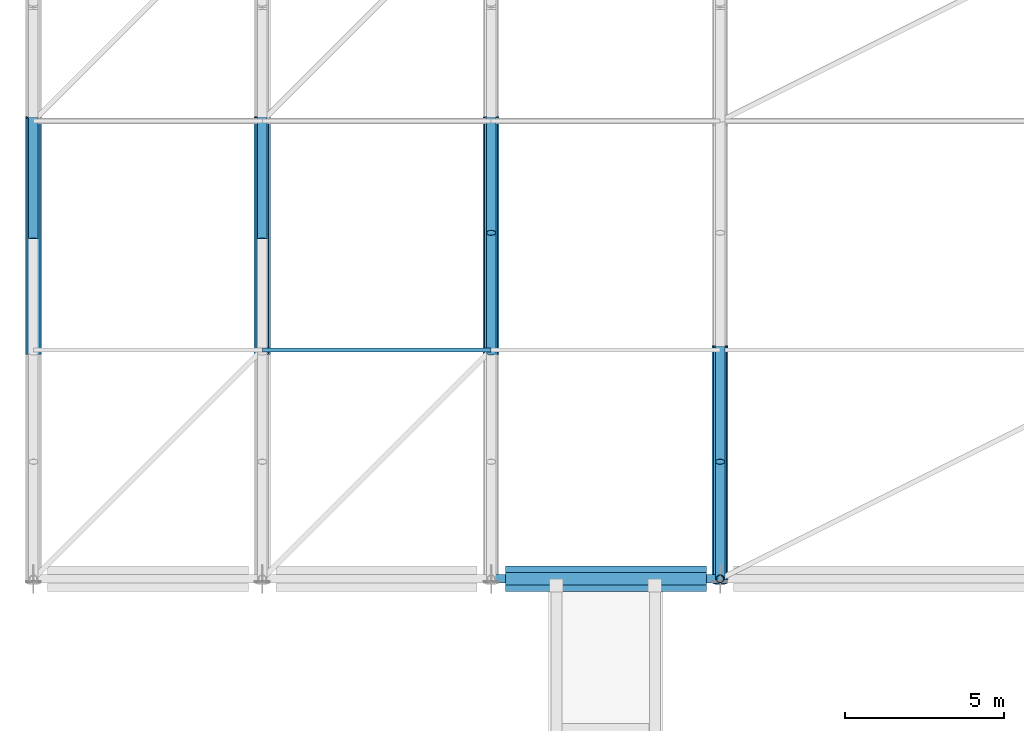
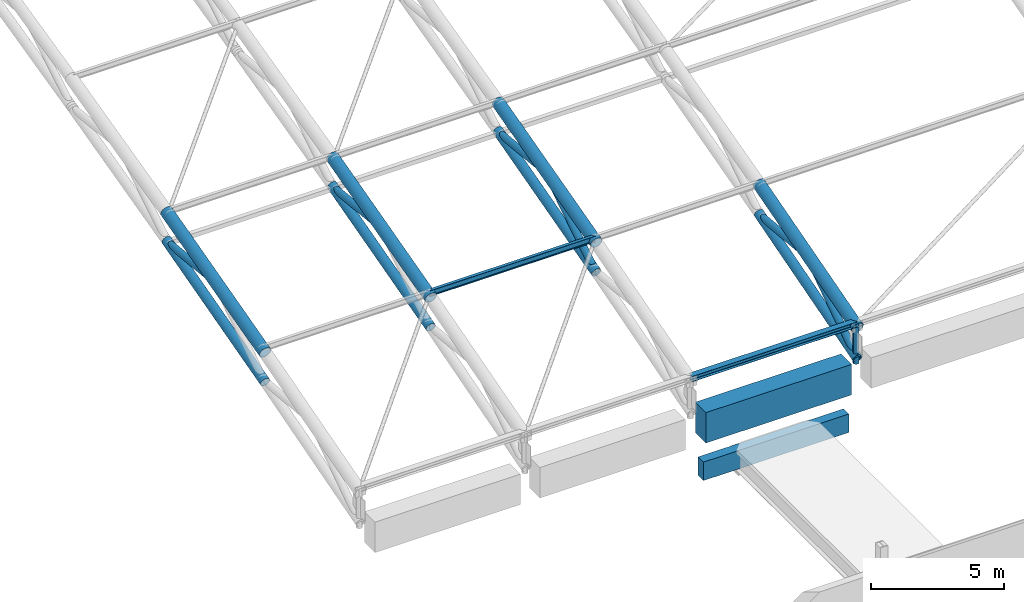
# One storey, part 25 of 193: 17 members, 2 beams.
"""IFC4 building model written with IfcOpenShell, lengths in metres."""

from ifc_helpers import new_model, si_unit, direction, frame, origin, origin_2d, place, context, subcontext, project, spatial, rectangle, hollow_circle, i_section, extrude, material, material_profile, profile_set, type_object, element, save


model = new_model("IFC4")

# Units and contexts
model_context = context("Model", 3, precision=1e-05, world=origin(), true_north=direction((0.0, 1.0)))
body_context = subcontext(model_context, "Body", "Model", "MODEL_VIEW")
ifc_project = project(units=[si_unit("LENGTHUNIT", "METRE"), si_unit("AREAUNIT", "SQUARE_METRE"), si_unit("VOLUMEUNIT", "CUBIC_METRE"), si_unit("PLANEANGLEUNIT", "RADIAN"), si_unit("MASSUNIT", "GRAM", prefix="KILO")], contexts=[model_context])

# Site, building, storey
site_placement = place(None, origin())
site = spatial("IfcSite", under=ifc_project, at=site_placement, CompositionType="ELEMENT")
building_placement = place(site_placement, origin())
building = spatial("IfcBuilding", under=site, at=building_placement, Name="Cendralis Lancet Convention Centre", CompositionType="ELEMENT")
storey_placement = place(building_placement, frame((0.0, 0.0, 10.199951171875)))
storey = spatial("IfcBuildingStorey", under=building, at=storey_placement, Name="L02", CompositionType="ELEMENT", Elevation=10.199951171875)

# Beam
ifc_material_1 = material(Name="Concrete G40 (C40/50)", Category="concrete")
ifc_material_profile_1 = material_profile(ifc_material_1, rectangle(XDim=0.800048828125, YDim=1.39990234375, at=origin_2d()), Name="RCB 800x1400")
ifc_profile_set_1 = profile_set([ifc_material_profile_1], Name="Concrete G40 (C40/50)")
beam_type_1 = type_object("IfcBeamType", Name="STR-BM-BG17", PredefinedType="BEAM", material=ifc_profile_set_1)
beam_1_placement = place(storey_placement, frame((14.85009765625, 50.39990234375, 1.5), z_axis=(1.0, 0.0, 0.0), x_axis=(0.0, 1.0, 0.0)))
element("IfcBeam", 1, at=beam_1_placement, inside=storey, type_object=beam_type_1, Name="L02 Beam BG17 #1311", PredefinedType="BEAM", context=body_context, shape_type="SweptSolid", body=[
    extrude(rectangle(XDim=0.800048828125, YDim=1.39990234375, at=origin_2d()), origin(), (0.0, 0.0, 1.0), 6.324951171875),
])

# Members
ifc_material_2 = material(Name="Steel S355", Category="steel")
ifc_material_profile_2 = material_profile(ifc_material_2, i_section(OverallWidth=0.135009765625, OverallDepth=0.27001953125, WebThickness=0.006591796875, FlangeThickness=0.01025390625, FilletRadius=0.014892578125, at=origin_2d()), Name="IPE 270")
ifc_profile_set_2 = profile_set([ifc_material_profile_2], Name="Steel S355")
member_type_1 = type_object("IfcMemberType", Name="STR-PR-PR01", PredefinedType="PURLIN", material=ifc_profile_set_2)
member_1_placement = place(storey_placement, frame((7.199951171875, 57.60009765625, 5.771728515625), z_axis=(1.0, 0.0, 0.0), x_axis=(0.0, 1.0, 0.0)))
element("IfcMember", 2, at=member_1_placement, inside=storey, type_object=member_type_1, Name="Vault Roof Purlin PR01 V1-01-01", PredefinedType="PURLIN", context=body_context, shape_type="SweptSolid", body=[
    extrude(i_section(OverallWidth=0.135009765625, OverallDepth=0.27001953125, WebThickness=0.006591796875, FlangeThickness=0.01025390625, FilletRadius=0.014892578125, at=origin_2d()), origin(), (0.0, 0.0, 1.0), 7.199951171875),
])
ifc_material_profile_3 = material_profile(ifc_material_2, i_section(OverallWidth=0.260009765625, OverallDepth=0.25, WebThickness=0.007568359375, FlangeThickness=0.012451171875, FilletRadius=0.02392578125, at=origin_2d()), Name="HEA 260")
ifc_profile_set_3 = profile_set([ifc_material_profile_3], Name="Steel S355")
member_type_2 = type_object("IfcMemberType", Name="STR-PR-PR07", PredefinedType="PURLIN", material=ifc_profile_set_3)
member_2_placement = place(storey_placement, frame((14.39990234375, 50.39990234375, 3.72509765625), z_axis=(1.0, 0.0, 0.0), x_axis=(0.0, 1.0, 0.0)))
element("IfcMember", 3, at=member_2_placement, inside=storey, type_object=member_type_2, Name="Vault Roof Purlin PR07 V1-02-00", PredefinedType="PURLIN", context=body_context, shape_type="SweptSolid", body=[
    extrude(i_section(OverallWidth=0.260009765625, OverallDepth=0.25, WebThickness=0.007568359375, FlangeThickness=0.012451171875, FilletRadius=0.02392578125, at=origin_2d()), origin(), (0.0, 0.0, 1.0), 7.2001953125),
])

# Beam
ifc_material_profile_4 = material_profile(ifc_material_1, rectangle(XDim=0.39990234375, YDim=0.85009765625, at=origin_2d()), Name="RCB 400x850")
ifc_profile_set_4 = profile_set([ifc_material_profile_4], Name="Concrete G40 (C40/50)")
beam_type_2 = type_object("IfcBeamType", Name="STR-SP-SP02", PredefinedType="SPANDREL", material=ifc_profile_set_4)
beam_2_placement = place(storey_placement, frame((14.85009765625, 50.39990234375, -0.625), z_axis=(1.0, 0.0, 0.0), x_axis=(0.0, 1.0, 0.0)))
element("IfcBeam", 4, at=beam_2_placement, inside=storey, type_object=beam_type_2, Name="L02 Beam SP02 #1308", PredefinedType="SPANDREL", context=body_context, shape_type="SweptSolid", body=[
    extrude(rectangle(XDim=0.39990234375, YDim=0.85009765625, at=origin_2d()), origin(), (0.0, 0.0, 1.0), 6.324951171875),
])

# Members
ifc_material_profile_5 = material_profile(ifc_material_2, hollow_circle(Radius=0.203125, WallThickness=0.01611328125, at=origin_2d()), Name="CHS 406.4x16.0")
ifc_profile_set_5 = profile_set([ifc_material_profile_5], Name="Steel S355")
member_type_3 = type_object("IfcMemberType", Name="STR-TR-BC01", PredefinedType="CHORD", material=ifc_profile_set_5)
member_3_placement = place(storey_placement, frame((0.0, 57.484130859375, 4.262451171875), z_axis=(0.0, 0.964987331955, 0.262296490953), x_axis=(-1.0, 0.0, 0.0)))
element("IfcMember", 5, at=member_3_placement, inside=storey, type_object=member_type_3, Name="ROOF TRUSS AT-V1-01 Bottom Chord 01", PredefinedType="CHORD", context=body_context, shape_type="SweptSolid", body=[
    extrude(hollow_circle(Radius=0.203125, WallThickness=0.01611328125, at=origin_2d()), origin(), (0.0, 0.0, 1.0), 7.701171875),
])
ifc_material_profile_6 = material_profile(ifc_material_2, hollow_circle(Radius=0.203125, WallThickness=0.01611328125, at=origin_2d()), Name="CHS 406.4x16.0")
ifc_profile_set_6 = profile_set([ifc_material_profile_6], Name="Steel S355")
member_type_4 = type_object("IfcMemberType", Name="STR-TR-BC01-INT", PredefinedType="CHORD", material=ifc_profile_set_6)
for number, where, z_axis, x_axis, name in (
    (6, (7.199951171875, 57.484130859375, 4.262451171875), (0.0, 0.964987331955, 0.262296490953), (-1.0, 0.0, 0.0), "ROOF TRUSS AT-V1-02 Bottom Chord 01"),
    (7, (14.39990234375, 57.484130859375, 4.262451171875), (0.0, 0.964987331955, 0.262296490953), (-1.0, 0.0, 0.0), "ROOF TRUSS AT-V1-03 Bottom Chord 01"),
):
    element("IfcMember", number, at=place(storey_placement, frame(where, z_axis=z_axis, x_axis=x_axis)), inside=storey, type_object=member_type_4, Name=name, PredefinedType="CHORD", context=body_context, shape_type="SweptSolid", body=[
        extrude(hollow_circle(Radius=0.203125, WallThickness=0.01611328125, at=origin_2d()), origin(), (0.0, 0.0, 1.0), 7.701171875),
    ])
member_4_placement = place(storey_placement, frame((21.60009765625, 50.284912109375, 2.16650390625), z_axis=(0.0, 0.960208219649, 0.279285114028), x_axis=(-1.0, 0.0, 0.0)))
element("IfcMember", 8, at=member_4_placement, inside=storey, type_object=member_type_4, Name="ROOF TRUSS AT-V1-04 Bottom Chord 00", PredefinedType="CHORD", context=body_context, shape_type="SweptSolid", body=[
    extrude(hollow_circle(Radius=0.203125, WallThickness=0.01611328125, at=origin_2d()), origin(), (0.0, 0.0, 1.0), 7.738037109375),
])
ifc_material_profile_7 = material_profile(ifc_material_2, hollow_circle(Radius=0.25390625, WallThickness=0.02001953125, at=origin_2d()), Name="CHS 508.0x20.0")
ifc_profile_set_7 = profile_set([ifc_material_profile_7], Name="Steel S355")
member_type_5 = type_object("IfcMemberType", Name="STR-TR-TC01", PredefinedType="CHORD", material=ifc_profile_set_7)
member_5_placement = place(storey_placement, frame((0.0, 57.484130859375, 5.625732421875), z_axis=(0.0, 0.966247582415, 0.257615235337), x_axis=(-1.0, 0.0, 0.0)))
element("IfcMember", 9, at=member_5_placement, inside=storey, type_object=member_type_5, Name="ROOF TRUSS AT-V1-01 Top Chord 01", PredefinedType="CHORD", context=body_context, shape_type="SweptSolid", body=[
    extrude(hollow_circle(Radius=0.25390625, WallThickness=0.02001953125, at=origin_2d()), origin(), (0.0, 0.0, 1.0), 7.69140625),
])
ifc_material_profile_8 = material_profile(ifc_material_2, hollow_circle(Radius=0.25390625, WallThickness=0.02001953125, at=origin_2d()), Name="CHS 508.0x20.0")
ifc_profile_set_8 = profile_set([ifc_material_profile_8], Name="Steel S355")
member_type_6 = type_object("IfcMemberType", Name="STR-TR-TC01-INT", PredefinedType="CHORD", material=ifc_profile_set_8)
for number, where, z_axis, x_axis, name in (
    (10, (7.199951171875, 57.484130859375, 5.625732421875), (0.0, 0.966247582415, 0.257615235337), (-1.0, 0.0, 0.0), "ROOF TRUSS AT-V1-02 Top Chord 01"),
    (11, (14.39990234375, 57.484130859375, 5.625732421875), (0.0, 0.966247582415, 0.257615235337), (-1.0, 0.0, 0.0), "ROOF TRUSS AT-V1-03 Top Chord 01"),
):
    element("IfcMember", number, at=place(storey_placement, frame(where, z_axis=z_axis, x_axis=x_axis)), inside=storey, type_object=member_type_6, Name=name, PredefinedType="CHORD", context=body_context, shape_type="SweptSolid", body=[
        extrude(hollow_circle(Radius=0.25390625, WallThickness=0.02001953125, at=origin_2d()), origin(), (0.0, 0.0, 1.0), 7.69140625),
    ])
member_6_placement = place(storey_placement, frame((21.60009765625, 50.28466796875, 3.567138671875), z_axis=(0.0, 0.961540636093, 0.274662711598), x_axis=(-1.0, 0.0, 0.0)))
element("IfcMember", 12, at=member_6_placement, inside=storey, type_object=member_type_6, Name="ROOF TRUSS AT-V1-04 Top Chord 00", PredefinedType="CHORD", context=body_context, shape_type="SweptSolid", body=[
    extrude(hollow_circle(Radius=0.25390625, WallThickness=0.02001953125, at=origin_2d()), origin(), (0.0, 0.0, 1.0), 7.727783203125),
])
ifc_material_profile_9 = material_profile(ifc_material_2, hollow_circle(Radius=0.149169921875, WallThickness=0.012451171875, at=origin_2d()), Name="CHS 298.5x12.5")
ifc_profile_set_9 = profile_set([ifc_material_profile_9], Name="Steel S355")
member_type_7 = type_object("IfcMemberType", Name="STR-TR-WD01", PredefinedType="BRACE", material=ifc_profile_set_9)
member_7_placement = place(storey_placement, frame((0.0, 61.1005859375, 6.626708984375), z_axis=(0.0, 0.99488409704, -0.101022935304), x_axis=(-1.0, 0.0, 0.0)))
element("IfcMember", 13, at=member_7_placement, inside=storey, type_object=member_type_7, Name="ROOF TRUSS AT-V1-01 Warren Web 01-1", PredefinedType="BRACE", context=body_context, shape_type="SweptSolid", body=[
    extrude(hollow_circle(Radius=0.149169921875, WallThickness=0.012451171875, at=origin_2d()), origin(), (0.0, 0.0, 1.0), 3.818359375),
])
ifc_material_profile_10 = material_profile(ifc_material_2, hollow_circle(Radius=0.149169921875, WallThickness=0.012451171875, at=origin_2d()), Name="CHS 298.5x12.5")
ifc_profile_set_10 = profile_set([ifc_material_profile_10], Name="Steel S355")
member_type_8 = type_object("IfcMemberType", Name="STR-TR-WD01-INT", PredefinedType="BRACE", material=ifc_profile_set_10)
member_8_placement = place(storey_placement, frame((7.199951171875, 61.1005859375, 6.626708984375), z_axis=(0.0, 0.99488409704, -0.101022935304), x_axis=(-1.0, 0.0, 0.0)))
element("IfcMember", 14, at=member_8_placement, inside=storey, type_object=member_type_8, Name="ROOF TRUSS AT-V1-02 Warren Web 01-1", PredefinedType="BRACE", context=body_context, shape_type="SweptSolid", body=[
    extrude(hollow_circle(Radius=0.149169921875, WallThickness=0.012451171875, at=origin_2d()), origin(), (0.0, 0.0, 1.0), 3.818359375),
])
member_9_placement = place(storey_placement, frame((14.39990234375, 57.51611328125, 4.23974609375), z_axis=(0.0, 0.840291047389, 0.542135551018), x_axis=(-1.0, 0.0, 0.0)))
element("IfcMember", 15, at=member_9_placement, inside=storey, type_object=member_type_8, Name="ROOF TRUSS AT-V1-03 Warren Web 01-0", PredefinedType="BRACE", context=body_context, shape_type="SweptSolid", body=[
    extrude(hollow_circle(Radius=0.149169921875, WallThickness=0.012451171875, at=origin_2d()), origin(), (0.0, 0.0, 1.0), 4.48388671875),
])
member_10_placement = place(storey_placement, frame((14.39990234375, 61.1005859375, 6.626708984375), z_axis=(0.0, 0.99488409704, -0.101022935304), x_axis=(-1.0, 0.0, 0.0)))
element("IfcMember", 16, at=member_10_placement, inside=storey, type_object=member_type_8, Name="ROOF TRUSS AT-V1-03 Warren Web 01-1", PredefinedType="BRACE", context=body_context, shape_type="SweptSolid", body=[
    extrude(hollow_circle(Radius=0.149169921875, WallThickness=0.012451171875, at=origin_2d()), origin(), (0.0, 0.0, 1.0), 3.818359375),
])
member_11_placement = place(storey_placement, frame((21.60009765625, 50.317138671875, 2.14404296875), z_axis=(0.0, 0.829019978373, 0.559218987032), x_axis=(-1.0, 0.0, 0.0)))
element("IfcMember", 17, at=member_11_placement, inside=storey, type_object=member_type_8, Name="ROOF TRUSS AT-V1-04 Warren Web 00-0", PredefinedType="BRACE", context=body_context, shape_type="SweptSolid", body=[
    extrude(hollow_circle(Radius=0.149169921875, WallThickness=0.012451171875, at=origin_2d()), origin(), (0.0, 0.0, 1.0), 4.54248046875),
])
member_12_placement = place(storey_placement, frame((21.60009765625, 53.900390625, 4.6376953125), z_axis=(0.0, 0.995716709116, -0.092456666539), x_axis=(-1.0, 0.0, 0.0)))
element("IfcMember", 18, at=member_12_placement, inside=storey, type_object=member_type_8, Name="ROOF TRUSS AT-V1-04 Warren Web 00-1", PredefinedType="BRACE", context=body_context, shape_type="SweptSolid", body=[
    extrude(hollow_circle(Radius=0.149169921875, WallThickness=0.012451171875, at=origin_2d()), origin(), (0.0, 0.0, 1.0), 3.815673828125),
])
ifc_material_profile_11 = material_profile(ifc_material_2, hollow_circle(Radius=0.122314453125, WallThickness=0.010009765625, at=origin_2d()), Name="CHS 244.5x10.0")
ifc_profile_set_11 = profile_set([ifc_material_profile_11], Name="Steel S355")
member_type_9 = type_object("IfcMemberType", Name="STR-TR-WV01-INT", PredefinedType="POST", material=ifc_profile_set_11)
member_13_placement = place(storey_placement, frame((21.60009765625, 50.39990234375, 1.900146484375), z_axis=(0.0, 0.0, 1.0), x_axis=(1.0, 0.0, 0.0)))
element("IfcMember", 19, at=member_13_placement, inside=storey, type_object=member_type_9, Name="ROOF TRUSS AT-V1-04 Springing Post N00", PredefinedType="POST", context=body_context, shape_type="SweptSolid", body=[
    extrude(hollow_circle(Radius=0.122314453125, WallThickness=0.010009765625, at=origin_2d()), origin(), (0.0, 0.0, 1.0), 1.919921875),
])

save(model, "model.ifc")
